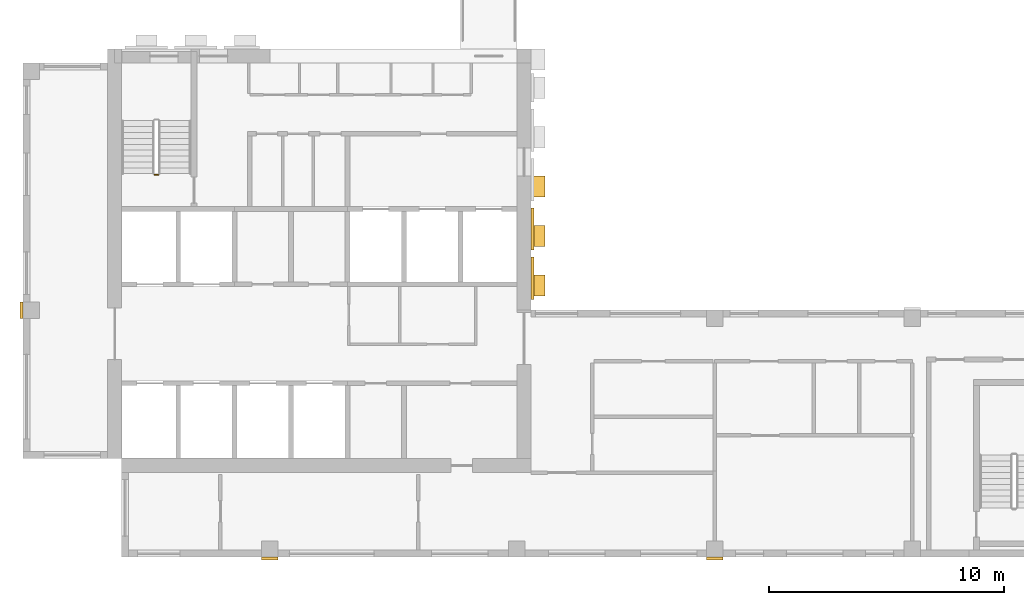
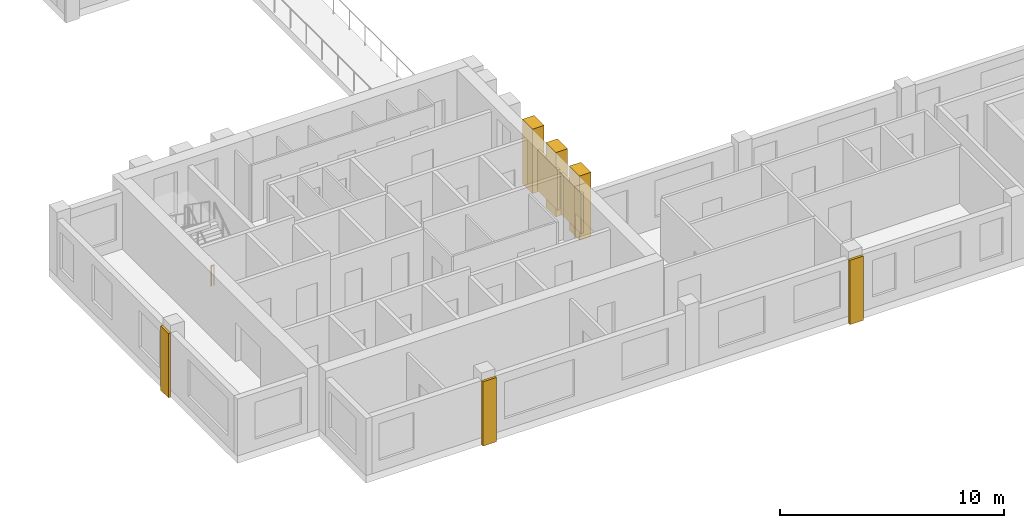
# One storey, part 6 of 9: 8 coverings, 1 railing.
"""IFC4 building model written with IfcOpenShell, lengths in metres."""

from ifc_helpers import new_model, si_unit, direction, frame, origin, origin_2d, place, context, subcontext, project, spatial, rectangle, circle, extrude, source, transform, mapped, material, type_object, element, save


model = new_model("IFC4")

# Units and contexts
model_context = context("Model", 3, precision=1e-05, world=origin(), true_north=direction((0.0, 1.0)))
body_context = subcontext(model_context, "Body", "Model", "MODEL_VIEW")
ifc_project = project(units=[si_unit("LENGTHUNIT", "METRE"), si_unit("AREAUNIT", "SQUARE_METRE"), si_unit("VOLUMEUNIT", "CUBIC_METRE"), si_unit("PLANEANGLEUNIT", "RADIAN"), si_unit("MASSUNIT", "GRAM", prefix="KILO")], contexts=[model_context])

# Site, building, storey
site_placement = place(None, origin())
site = spatial("IfcSite", under=ifc_project, at=site_placement, CompositionType="ELEMENT")
building_placement = place(site_placement, origin())
building = spatial("IfcBuilding", under=site, at=building_placement, Name="Aurelian Terraces", CompositionType="ELEMENT")
storey_placement = place(building_placement, frame((0.0, 0.0, 316.0)))
storey = spatial("IfcBuildingStorey", under=building, at=storey_placement, Name="L73", CompositionType="ELEMENT", Elevation=316.0)

# Coverings
ifc_material_1 = material(Name="Terracotta rainscreen cladding louvre blades", Category="masonry")
covering_type_1 = type_object("IfcCoveringType", Name="LOUVRE-TC", PredefinedType="CLADDING", material=ifc_material_1)
shared_shape_1 = source(origin(), body_context, "Body", "SweptSolid", [
    extrude(rectangle(XDim=0.12, YDim=1.8, at=origin_2d()), origin(), (0.0, 0.0, 1.0), 2.2),
])
for number, where, z_axis, x_axis, name in (
    (1, (21.66, 11.85, 0.45), (0.0, 0.0, 1.0), (1.0, 0.0, 0.0), "LOUVRE L73 core face E.1"),
    (2, (21.66, 13.95, 0.45), (0.0, 0.0, 1.0), (1.0, 0.0, 0.0), "LOUVRE L73 core face E.2"),
):
    element("IfcCovering", number, at=place(storey_placement, frame(where, z_axis=z_axis, x_axis=x_axis)), inside=storey, type_object=covering_type_1, Name=name, PredefinedType="CLADDING", context=body_context, shape_type="MappedRepresentation", body=[
        mapped(shared_shape_1, transform((0.0, 0.0, 0.0), scale=1.0)),
    ])
ifc_material_2 = material(Name="Terracotta rainscreen cladding relief", Category="masonry")
covering_type_2 = type_object("IfcCoveringType", Name="BAGUETTE-TC", PredefinedType="CLADDING", material=ifc_material_2)
shared_shape_2 = source(origin(), body_context, "Body", "SweptSolid", [
    extrude(rectangle(XDim=0.7, YDim=0.12, at=origin_2d()), origin(), (0.0, 0.0, 1.0), 3.5),
])
for number, where, z_axis, x_axis, name in (
    (3, (10.5, -0.06, -0.4), (0.0, 0.0, 1.0), (1.0, 0.0, 0.0), "BAGUETTE pier L73 1"),
    (4, (29.4, -0.06, -0.4), (0.0, 0.0, 1.0), (1.0, 0.0, 0.0), "BAGUETTE pier L73 2"),
):
    element("IfcCovering", number, at=place(storey_placement, frame(where, z_axis=z_axis, x_axis=x_axis)), inside=storey, type_object=covering_type_2, Name=name, PredefinedType="CLADDING", context=body_context, shape_type="MappedRepresentation", body=[
        mapped(shared_shape_2, transform((0.0, 0.0, 0.0), scale=1.0)),
    ])
shared_shape_3 = source(origin(), body_context, "Body", "SweptSolid", [
    extrude(rectangle(XDim=0.12, YDim=0.7, at=origin_2d()), origin(), (0.0, 0.0, 1.0), 3.5),
])
covering_placement = place(storey_placement, frame((-0.06, 10.5, -0.4), z_axis=(0.0, 0.0, 1.0), x_axis=(1.0, 0.0, 0.0)))
element("IfcCovering", 5, at=covering_placement, inside=storey, type_object=covering_type_2, Name="BAGUETTE pier L73 5", PredefinedType="CLADDING", context=body_context, shape_type="MappedRepresentation", body=[
    mapped(shared_shape_3, transform((0.0, 0.0, 0.0), scale=1.0)),
])

# Railing
ifc_material_3 = material(Name="Stainless steel", Category="steel")
railing_type = type_object("IfcRailingType", Name="Stair guard 1100", PredefinedType="GUARDRAIL", material=ifc_material_3)
shared_shape_4 = source(origin(), body_context, "Body", "SweptSolid", [
    extrude(circle(Radius=0.024, at=origin_2d()), frame((0.0, 0.0, 1.076), z_axis=(-1.0, 0.0, 0.0), x_axis=(0.0, -1.0, 0.0)), (0.0, 0.0, 1.0), 0.15),
    extrude(circle(Radius=0.021, at=origin_2d()), origin(), (0.0, 0.0, 1.0), 1.052),
    extrude(circle(Radius=0.021, at=origin_2d()), frame((-0.15, 0.0, 0.0)), (0.0, 0.0, 1.0), 1.052),
])
railing_placement = place(storey_placement, frame((5.75, 16.25, 0.0)))
element("IfcRailing", 6, at=railing_placement, inside=storey, type_object=railing_type, Name="L73 S1 stair guard 4", PredefinedType="GUARDRAIL", context=body_context, shape_type="MappedRepresentation", body=[
    mapped(shared_shape_4, transform((0.0, 0.0, 0.0), scale=1.0)),
])

# Coverings
covering_type_3 = type_object("IfcCoveringType", Name="Core spine pier 900x600", PredefinedType="CLADDING", material=ifc_material_2)
shared_shape_5 = source(origin(), body_context, "Body", "SweptSolid", [
    extrude(rectangle(XDim=0.6, YDim=0.9, at=origin_2d()), origin(), (0.0, 0.0, 1.0), 3.5),
])
for number, where, z_axis, x_axis, name in (
    (7, (21.9, 11.55, 0.0), (0.0, 0.0, 1.0), (1.0, 0.0, 0.0), "Spine pier L73 E1"),
    (8, (21.9, 13.65, 0.0), (0.0, 0.0, 1.0), (1.0, 0.0, 0.0), "Spine pier L73 E2"),
    (9, (21.9, 15.75, 0.0), (0.0, 0.0, 1.0), (1.0, 0.0, 0.0), "Spine pier L73 E3"),
):
    element("IfcCovering", number, at=place(storey_placement, frame(where, z_axis=z_axis, x_axis=x_axis)), inside=storey, type_object=covering_type_3, Name=name, PredefinedType="CLADDING", context=body_context, shape_type="MappedRepresentation", body=[
        mapped(shared_shape_5, transform((0.0, 0.0, 0.0), scale=1.0)),
    ])

save(model, "model.ifc")
